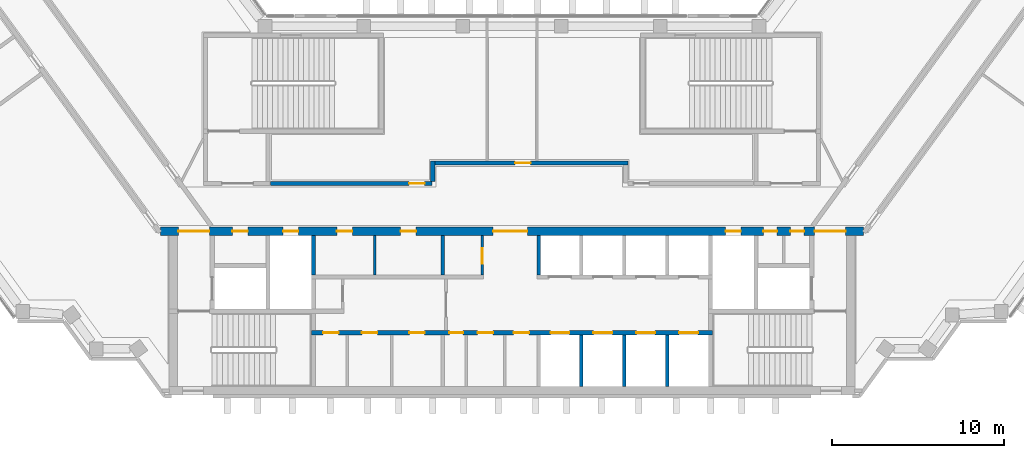
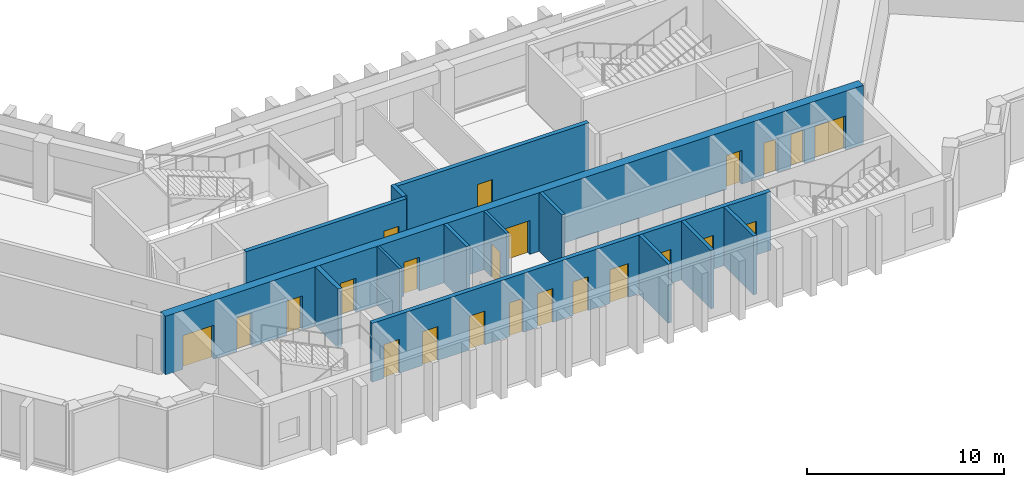
# One storey, part 6 of 11: 23 doors, 13 walls, 23 openings.
"""IFC4 building model written with IfcOpenShell, lengths in metres."""

from ifc_helpers import new_model, si_unit, direction, frame, frame_2d, origin, place, context, subcontext, project, spatial, rectangle, extrude, material, layer, layer_set, type_object, element, fill, save


model = new_model("IFC4")

# Units and contexts
model_context = context("Model", 3, precision=1e-05, world=origin(), true_north=direction((0.0, 1.0)))
body_context = subcontext(model_context, "Body", "Model", "MODEL_VIEW")
ifc_project = project(units=[si_unit("LENGTHUNIT", "METRE"), si_unit("AREAUNIT", "SQUARE_METRE"), si_unit("VOLUMEUNIT", "CUBIC_METRE"), si_unit("PLANEANGLEUNIT", "RADIAN"), si_unit("MASSUNIT", "GRAM", prefix="KILO")], contexts=[model_context])

# Site, building, storey
site_placement = place(None, origin())
site = spatial("IfcSite", under=ifc_project, at=site_placement, CompositionType="ELEMENT")
building_placement = place(site_placement, origin())
building = spatial("IfcBuilding", under=site, at=building_placement, Name="Quipu Civic Tower", CompositionType="ELEMENT")
storey_placement = place(building_placement, frame((0.0, 0.0, 144.0)))
storey = spatial("IfcBuildingStorey", under=building, at=storey_placement, Name="L33", CompositionType="ELEMENT", Elevation=144.0)

# Wall, openings, doors
ifc_material_1 = material(Name="Concrete C70/85", Category="concrete")
ifc_layer_1 = layer(ifc_material_1, 0.25)
ifc_layer_set_1 = layer_set([ifc_layer_1], Name="Concrete C70/85")
wall_type_1 = type_object("IfcWallType", Name="Core wall 250", PredefinedType="SHEAR", material=ifc_layer_set_1)
wall_1_placement = place(storey_placement, frame((11.699951171875, -7.375, 0.0), z_axis=(0.0, 0.0, 1.0), x_axis=(-1.0, 0.0, 0.0)))
wall_1 = element("IfcWall", 1, at=wall_1_placement, inside=storey, type_object=wall_type_1, Name="Core wall", PredefinedType="SHEAR", context=body_context, shape_type="SweptSolid", body=[
    extrude(rectangle(XDim=23.39990234375, YDim=0.25, at=frame_2d((11.699951171875, 0.0))), origin(), (0.0, 0.0, 1.0), 3.64990234375),
])
opening_1_placement = place(wall_1_placement, frame((21.81201171875, 0.0, 0.0)))
opening_1 = element("IfcOpeningElement", 2, at=opening_1_placement, cuts=wall_1, Name="Opening CD-01", PredefinedType="OPENING", context=body_context, shape_type="SweptSolid", body=[
    extrude(rectangle(XDim=0.89990234375, YDim=2.10009765625, at=frame_2d((0.449951171875, 1.050048828125))), frame((0.0, 0.135009765625, 0.0), z_axis=(0.0, -1.0, 0.0), x_axis=(1.0, 0.0, 0.0)), (0.0, 0.0, 1.0), 0.27001953125),
])
opening_2_placement = place(wall_1_placement, frame((19.550048828125, 0.0, 0.0)))
opening_2 = element("IfcOpeningElement", 3, at=opening_2_placement, cuts=wall_1, Name="Opening CD-02", PredefinedType="OPENING", context=body_context, shape_type="SweptSolid", body=[
    extrude(rectangle(XDim=0.89990234375, YDim=2.10009765625, at=frame_2d((0.449951171875, 1.050048828125))), frame((0.0, 0.135009765625, 0.0), z_axis=(0.0, -1.0, 0.0), x_axis=(1.0, 0.0, 0.0)), (0.0, 0.0, 1.0), 0.27001953125),
])
opening_3_placement = place(wall_1_placement, frame((16.787109375, 0.0, 0.0)))
opening_3 = element("IfcOpeningElement", 4, at=opening_3_placement, cuts=wall_1, Name="Opening CD-03", PredefinedType="OPENING", context=body_context, shape_type="SweptSolid", body=[
    extrude(rectangle(XDim=0.89990234375, YDim=2.10009765625, at=frame_2d((0.449951171875, 1.050048828125))), frame((0.0, 0.135009765625, 0.0), z_axis=(0.0, -1.0, 0.0), x_axis=(1.0, 0.0, 0.0)), (0.0, 0.0, 1.0), 0.27001953125),
])
opening_4_placement = place(wall_1_placement, frame((14.550048828125, 0.0, 0.0)))
opening_4 = element("IfcOpeningElement", 5, at=opening_4_placement, cuts=wall_1, Name="Opening CD-04", PredefinedType="OPENING", context=body_context, shape_type="SweptSolid", body=[
    extrude(rectangle(XDim=0.800048828125, YDim=2.10009765625, at=frame_2d((0.39990234375, 1.050048828125))), frame((0.0, 0.135009765625, 0.0), z_axis=(0.0, -1.0, 0.0), x_axis=(1.0, 0.0, 0.0)), (0.0, 0.0, 1.0), 0.27001953125),
])
opening_5_placement = place(wall_1_placement, frame((12.800048828125, 0.0, 0.0)))
opening_5 = element("IfcOpeningElement", 6, at=opening_5_placement, cuts=wall_1, Name="Opening CD-05", PredefinedType="OPENING", context=body_context, shape_type="SweptSolid", body=[
    extrude(rectangle(XDim=0.89990234375, YDim=2.10009765625, at=frame_2d((0.449951171875, 1.050048828125))), frame((0.0, 0.135009765625, 0.0), z_axis=(0.0, -1.0, 0.0), x_axis=(1.0, 0.0, 0.0)), (0.0, 0.0, 1.0), 0.27001953125),
])
opening_6_placement = place(wall_1_placement, frame((10.699951171875, 0.0, 0.0)))
opening_6 = element("IfcOpeningElement", 7, at=opening_6_placement, cuts=wall_1, Name="Opening CD-06", PredefinedType="OPENING", context=body_context, shape_type="SweptSolid", body=[
    extrude(rectangle(XDim=0.89990234375, YDim=2.10009765625, at=frame_2d((0.449951171875, 1.050048828125))), frame((0.0, 0.135009765625, 0.0), z_axis=(0.0, -1.0, 0.0), x_axis=(1.0, 0.0, 0.0)), (0.0, 0.0, 1.0), 0.27001953125),
])
opening_7_placement = place(wall_1_placement, frame((8.35009765625, 0.0, 0.0)))
opening_7 = element("IfcOpeningElement", 8, at=opening_7_placement, cuts=wall_1, Name="Opening LD-ML1", PredefinedType="OPENING", context=body_context, shape_type="SweptSolid", body=[
    extrude(rectangle(XDim=1.10009765625, YDim=2.10009765625, at=frame_2d((0.550048828125, 1.050048828125))), frame((0.0, 0.135009765625, 0.0), z_axis=(0.0, -1.0, 0.0), x_axis=(1.0, 0.0, 0.0)), (0.0, 0.0, 1.0), 0.27001953125),
])
opening_8_placement = place(wall_1_placement, frame((5.85009765625, 0.0, 0.0)))
opening_8 = element("IfcOpeningElement", 9, at=opening_8_placement, cuts=wall_1, Name="Opening LD-ML2", PredefinedType="OPENING", context=body_context, shape_type="SweptSolid", body=[
    extrude(rectangle(XDim=1.10009765625, YDim=2.10009765625, at=frame_2d((0.550048828125, 1.050048828125))), frame((0.0, 0.135009765625, 0.0), z_axis=(0.0, -1.0, 0.0), x_axis=(1.0, 0.0, 0.0)), (0.0, 0.0, 1.0), 0.27001953125),
])
opening_9_placement = place(wall_1_placement, frame((3.35009765625, 0.0, 0.0)))
opening_9 = element("IfcOpeningElement", 10, at=opening_9_placement, cuts=wall_1, Name="Opening LD-ML3", PredefinedType="OPENING", context=body_context, shape_type="SweptSolid", body=[
    extrude(rectangle(XDim=1.10009765625, YDim=2.10009765625, at=frame_2d((0.550048828125, 1.050048828125))), frame((0.0, 0.135009765625, 0.0), z_axis=(0.0, -1.0, 0.0), x_axis=(1.0, 0.0, 0.0)), (0.0, 0.0, 1.0), 0.27001953125),
])
opening_10_placement = place(wall_1_placement, frame((0.85009765625, 0.0, 0.0)))
opening_10 = element("IfcOpeningElement", 11, at=opening_10_placement, cuts=wall_1, Name="Opening LD-ML4", PredefinedType="OPENING", context=body_context, shape_type="SweptSolid", body=[
    extrude(rectangle(XDim=1.10009765625, YDim=2.10009765625, at=frame_2d((0.550048828125, 1.050048828125))), frame((0.0, 0.135009765625, 0.0), z_axis=(0.0, -1.0, 0.0), x_axis=(1.0, 0.0, 0.0)), (0.0, 0.0, 1.0), 0.27001953125),
])
ifc_material_2 = material(Name="Fire rated steel door", Category="steel")
door_type_1 = type_object("IfcDoorType", Name="Fire door FD60 800 x 2100", OperationType="NOTDEFINED", PredefinedType="DOOR", material=ifc_material_2)
door_1_placement = place(opening_4_placement, origin())
door_1 = element("IfcDoor", 12, at=door_1_placement, inside=storey, type_object=door_type_1, Name="Door", OperationType="SINGLE_SWING_RIGHT", OverallHeight=2.10009765625, OverallWidth=0.800048828125, PredefinedType="DOOR", context=body_context, shape_type="SweptSolid", body=[
    extrude(rectangle(XDim=0.800048828125, YDim=2.10009765625, at=frame_2d((0.39990234375, 1.050048828125))), frame((0.0, 0.02490234375, 0.0), z_axis=(0.0, -1.0, 0.0), x_axis=(1.0, 0.0, 0.0)), (0.0, 0.0, 1.0), 0.050048828125),
])
fill(opening_4, door_1)
ifc_material_3 = material(Name="Fire rated steel door", Category="steel")
door_type_2 = type_object("IfcDoorType", Name="Fire door FD60 900 x 2100", OperationType="NOTDEFINED", PredefinedType="DOOR", material=ifc_material_3)
door_2_placement = place(opening_1_placement, origin())
door_2 = element("IfcDoor", 13, at=door_2_placement, inside=storey, type_object=door_type_2, Name="Door", OperationType="SINGLE_SWING_RIGHT", OverallHeight=2.10009765625, OverallWidth=0.89990234375, PredefinedType="DOOR", context=body_context, shape_type="SweptSolid", body=[
    extrude(rectangle(XDim=0.89990234375, YDim=2.10009765625, at=frame_2d((0.449951171875, 1.050048828125))), frame((0.0, 0.02490234375, 0.0), z_axis=(0.0, -1.0, 0.0), x_axis=(1.0, 0.0, 0.0)), (0.0, 0.0, 1.0), 0.050048828125),
])
fill(opening_1, door_2)
door_3_placement = place(opening_2_placement, origin())
door_3 = element("IfcDoor", 14, at=door_3_placement, inside=storey, type_object=door_type_2, Name="Door", OperationType="SINGLE_SWING_RIGHT", OverallHeight=2.10009765625, OverallWidth=0.89990234375, PredefinedType="DOOR", context=body_context, shape_type="SweptSolid", body=[
    extrude(rectangle(XDim=0.89990234375, YDim=2.10009765625, at=frame_2d((0.449951171875, 1.050048828125))), frame((0.0, 0.02490234375, 0.0), z_axis=(0.0, -1.0, 0.0), x_axis=(1.0, 0.0, 0.0)), (0.0, 0.0, 1.0), 0.050048828125),
])
fill(opening_2, door_3)
door_4_placement = place(opening_3_placement, origin())
door_4 = element("IfcDoor", 15, at=door_4_placement, inside=storey, type_object=door_type_2, Name="Door", OperationType="SINGLE_SWING_RIGHT", OverallHeight=2.10009765625, OverallWidth=0.89990234375, PredefinedType="DOOR", context=body_context, shape_type="SweptSolid", body=[
    extrude(rectangle(XDim=0.89990234375, YDim=2.10009765625, at=frame_2d((0.449951171875, 1.050048828125))), frame((0.0, 0.02490234375, 0.0), z_axis=(0.0, -1.0, 0.0), x_axis=(1.0, 0.0, 0.0)), (0.0, 0.0, 1.0), 0.050048828125),
])
fill(opening_3, door_4)
door_5_placement = place(opening_5_placement, origin())
door_5 = element("IfcDoor", 16, at=door_5_placement, inside=storey, type_object=door_type_2, Name="WC door", OperationType="SINGLE_SWING_RIGHT", OverallHeight=2.10009765625, OverallWidth=0.89990234375, PredefinedType="DOOR", context=body_context, shape_type="SweptSolid", body=[
    extrude(rectangle(XDim=0.89990234375, YDim=2.10009765625, at=frame_2d((0.449951171875, 1.050048828125))), frame((0.0, 0.02490234375, 0.0), z_axis=(0.0, -1.0, 0.0), x_axis=(1.0, 0.0, 0.0)), (0.0, 0.0, 1.0), 0.050048828125),
])
fill(opening_5, door_5)
door_6_placement = place(opening_6_placement, origin())
door_6 = element("IfcDoor", 17, at=door_6_placement, inside=storey, type_object=door_type_2, Name="WC door", OperationType="SINGLE_SWING_LEFT", OverallHeight=2.10009765625, OverallWidth=0.89990234375, PredefinedType="DOOR", context=body_context, shape_type="SweptSolid", body=[
    extrude(rectangle(XDim=0.89990234375, YDim=2.10009765625, at=frame_2d((0.449951171875, 1.050048828125))), frame((0.0, 0.02490234375, 0.0), z_axis=(0.0, -1.0, 0.0), x_axis=(1.0, 0.0, 0.0)), (0.0, 0.0, 1.0), 0.050048828125),
])
fill(opening_6, door_6)
ifc_material_4 = material(Name="Stainless steel", Category="steel")
door_type_3 = type_object("IfcDoorType", Name="Lift landing door 1100 x 2100", OperationType="DOUBLE_DOOR_SLIDING", PredefinedType="DOOR", material=ifc_material_4)
door_7_placement = place(opening_7_placement, origin())
door_7 = element("IfcDoor", 18, at=door_7_placement, inside=storey, type_object=door_type_3, Name="Landing door ML1", OperationType="DOUBLE_DOOR_SLIDING", OverallHeight=2.10009765625, OverallWidth=1.10009765625, PredefinedType="DOOR", context=body_context, shape_type="SweptSolid", body=[
    extrude(rectangle(XDim=1.10009765625, YDim=2.10009765625, at=frame_2d((0.550048828125, 1.050048828125))), frame((0.0, 0.02490234375, 0.0), z_axis=(0.0, -1.0, 0.0), x_axis=(1.0, 0.0, 0.0)), (0.0, 0.0, 1.0), 0.050048828125),
])
fill(opening_7, door_7)
door_8_placement = place(opening_8_placement, origin())
door_8 = element("IfcDoor", 19, at=door_8_placement, inside=storey, type_object=door_type_3, Name="Landing door ML2", OperationType="DOUBLE_DOOR_SLIDING", OverallHeight=2.10009765625, OverallWidth=1.10009765625, PredefinedType="DOOR", context=body_context, shape_type="SweptSolid", body=[
    extrude(rectangle(XDim=1.10009765625, YDim=2.10009765625, at=frame_2d((0.550048828125, 1.050048828125))), frame((0.0, 0.02490234375, 0.0), z_axis=(0.0, -1.0, 0.0), x_axis=(1.0, 0.0, 0.0)), (0.0, 0.0, 1.0), 0.050048828125),
])
fill(opening_8, door_8)
door_9_placement = place(opening_9_placement, origin())
door_9 = element("IfcDoor", 20, at=door_9_placement, inside=storey, type_object=door_type_3, Name="Landing door ML3", OperationType="DOUBLE_DOOR_SLIDING", OverallHeight=2.10009765625, OverallWidth=1.10009765625, PredefinedType="DOOR", context=body_context, shape_type="SweptSolid", body=[
    extrude(rectangle(XDim=1.10009765625, YDim=2.10009765625, at=frame_2d((0.550048828125, 1.050048828125))), frame((0.0, 0.02490234375, 0.0), z_axis=(0.0, -1.0, 0.0), x_axis=(1.0, 0.0, 0.0)), (0.0, 0.0, 1.0), 0.050048828125),
])
fill(opening_9, door_9)
door_10_placement = place(opening_10_placement, origin())
door_10 = element("IfcDoor", 21, at=door_10_placement, inside=storey, type_object=door_type_3, Name="Landing door ML4", OperationType="DOUBLE_DOOR_SLIDING", OverallHeight=2.10009765625, OverallWidth=1.10009765625, PredefinedType="DOOR", context=body_context, shape_type="SweptSolid", body=[
    extrude(rectangle(XDim=1.10009765625, YDim=2.10009765625, at=frame_2d((0.550048828125, 1.050048828125))), frame((0.0, 0.02490234375, 0.0), z_axis=(0.0, -1.0, 0.0), x_axis=(1.0, 0.0, 0.0)), (0.0, 0.0, 1.0), 0.050048828125),
])
fill(opening_10, door_10)

# Wall
wall_2_placement = place(storey_placement, frame((-11.574951171875, -4.0, 0.0), z_axis=(0.0, 0.0, 1.0), x_axis=(0.0, 1.0, 0.0)))
element("IfcWall", 22, at=wall_2_placement, inside=storey, type_object=wall_type_1, Name="Core wall", PredefinedType="SHEAR", context=body_context, shape_type="SweptSolid", body=[
    extrude(rectangle(XDim=2.300048828125, YDim=0.25, at=frame_2d((1.14990234375, 0.0))), origin(), (0.0, 0.0, 1.0), 3.64990234375),
])

# Wall, openings, doors
ifc_material_5 = material(Name="Concrete C70/85", Category="concrete")
ifc_layer_2 = layer(ifc_material_5, 0.5)
ifc_layer_set_2 = layer_set([ifc_layer_2], Name="Concrete C70/85")
wall_type_2 = type_object("IfcWallType", Name="Core wall 500", PredefinedType="SHEAR", material=ifc_layer_set_2)
wall_3_placement = place(storey_placement, frame((20.489990234375, -1.449951171875, 0.0), z_axis=(0.0, 0.0, 1.0), x_axis=(-1.0, 0.0, 0.0)))
wall_3 = element("IfcWall", 23, at=wall_3_placement, inside=storey, type_object=wall_type_2, Name="Core wall", PredefinedType="SHEAR", context=body_context, shape_type="SweptSolid", body=[
    extrude(rectangle(XDim=40.97998046875, YDim=0.5, at=frame_2d((20.489990234375, 0.0))), origin(), (0.0, 0.0, 1.0), 3.64990234375),
])
opening_11_placement = place(wall_3_placement, frame((38.139892578125, 0.0, 0.0)))
opening_11 = element("IfcOpeningElement", 24, at=opening_11_placement, cuts=wall_3, Name="Opening CD-12", PredefinedType="OPENING", context=body_context, shape_type="SweptSolid", body=[
    extrude(rectangle(XDim=1.800048828125, YDim=2.10009765625, at=frame_2d((0.89990234375, 1.050048828125))), frame((0.0, 0.260009765625, 0.0), z_axis=(0.0, -1.0, 0.0), x_axis=(1.0, 0.0, 0.0)), (0.0, 0.0, 1.0), 0.52001953125),
])
opening_12_placement = place(wall_3_placement, frame((35.889892578125, 0.0, 0.0)))
opening_12 = element("IfcOpeningElement", 25, at=opening_12_placement, cuts=wall_3, Name="Opening CD-13", PredefinedType="OPENING", context=body_context, shape_type="SweptSolid", body=[
    extrude(rectangle(XDim=0.89990234375, YDim=2.10009765625, at=frame_2d((0.449951171875, 1.050048828125))), frame((0.0, 0.260009765625, 0.0), z_axis=(0.0, -1.0, 0.0), x_axis=(1.0, 0.0, 0.0)), (0.0, 0.0, 1.0), 0.52001953125),
])
opening_13_placement = place(wall_3_placement, frame((32.93994140625, 0.0, 0.0)))
opening_13 = element("IfcOpeningElement", 26, at=opening_13_placement, cuts=wall_3, Name="Opening CD-14", PredefinedType="OPENING", context=body_context, shape_type="SweptSolid", body=[
    extrude(rectangle(XDim=0.89990234375, YDim=2.10009765625, at=frame_2d((0.449951171875, 1.050048828125))), frame((0.0, 0.260009765625, 0.0), z_axis=(0.0, -1.0, 0.0), x_axis=(1.0, 0.0, 0.0)), (0.0, 0.0, 1.0), 0.52001953125),
])
opening_14_placement = place(wall_3_placement, frame((29.802490234375, 0.0, 0.0)))
opening_14 = element("IfcOpeningElement", 27, at=opening_14_placement, cuts=wall_3, Name="Opening CD-15", PredefinedType="OPENING", context=body_context, shape_type="SweptSolid", body=[
    extrude(rectangle(XDim=0.89990234375, YDim=2.10009765625, at=frame_2d((0.449951171875, 1.050048828125))), frame((0.0, 0.260009765625, 0.0), z_axis=(0.0, -1.0, 0.0), x_axis=(1.0, 0.0, 0.0)), (0.0, 0.0, 1.0), 0.52001953125),
])
opening_15_placement = place(wall_3_placement, frame((26.077392578125, 0.0, 0.0)))
opening_15 = element("IfcOpeningElement", 28, at=opening_15_placement, cuts=wall_3, Name="Opening CD-16", PredefinedType="OPENING", context=body_context, shape_type="SweptSolid", body=[
    extrude(rectangle(XDim=0.89990234375, YDim=2.10009765625, at=frame_2d((0.449951171875, 1.050048828125))), frame((0.0, 0.260009765625, 0.0), z_axis=(0.0, -1.0, 0.0), x_axis=(1.0, 0.0, 0.0)), (0.0, 0.0, 1.0), 0.52001953125),
])
opening_16_placement = place(wall_3_placement, frame((19.590087890625, 0.0, 0.0)))
opening_16 = element("IfcOpeningElement", 29, at=opening_16_placement, cuts=wall_3, Name="Opening CD-17", PredefinedType="OPENING", context=body_context, shape_type="SweptSolid", body=[
    extrude(rectangle(XDim=2.0, YDim=2.10009765625, at=frame_2d((1.0, 1.050048828125))), frame((0.0, 0.260009765625, 0.0), z_axis=(0.0, -1.0, 0.0), x_axis=(1.0, 0.0, 0.0)), (0.0, 0.0, 1.0), 0.52001953125),
])
opening_17_placement = place(wall_3_placement, frame((7.139892578125, 0.0, 0.0)))
opening_17 = element("IfcOpeningElement", 30, at=opening_17_placement, cuts=wall_3, Name="Opening CD-18", PredefinedType="OPENING", context=body_context, shape_type="SweptSolid", body=[
    extrude(rectangle(XDim=0.89990234375, YDim=2.10009765625, at=frame_2d((0.449951171875, 1.050048828125))), frame((0.0, 0.260009765625, 0.0), z_axis=(0.0, -1.0, 0.0), x_axis=(1.0, 0.0, 0.0)), (0.0, 0.0, 1.0), 0.52001953125),
])
opening_18_placement = place(wall_3_placement, frame((5.027587890625, 0.0, 0.0)))
opening_18 = element("IfcOpeningElement", 31, at=opening_18_placement, cuts=wall_3, Name="Opening CD-19", PredefinedType="OPENING", context=body_context, shape_type="SweptSolid", body=[
    extrude(rectangle(XDim=0.800048828125, YDim=2.10009765625, at=frame_2d((0.39990234375, 1.050048828125))), frame((0.0, 0.260009765625, 0.0), z_axis=(0.0, -1.0, 0.0), x_axis=(1.0, 0.0, 0.0)), (0.0, 0.0, 1.0), 0.52001953125),
])
opening_19_placement = place(wall_3_placement, frame((3.452392578125, 0.0, 0.0)))
opening_19 = element("IfcOpeningElement", 32, at=opening_19_placement, cuts=wall_3, Name="Opening CD-20", PredefinedType="OPENING", context=body_context, shape_type="SweptSolid", body=[
    extrude(rectangle(XDim=0.800048828125, YDim=2.10009765625, at=frame_2d((0.39990234375, 1.050048828125))), frame((0.0, 0.260009765625, 0.0), z_axis=(0.0, -1.0, 0.0), x_axis=(1.0, 0.0, 0.0)), (0.0, 0.0, 1.0), 0.52001953125),
])
opening_20_placement = place(wall_3_placement, frame((1.0400390625, 0.0, 0.0)))
opening_20 = element("IfcOpeningElement", 33, at=opening_20_placement, cuts=wall_3, Name="Opening CD-21", PredefinedType="OPENING", context=body_context, shape_type="SweptSolid", body=[
    extrude(rectangle(XDim=1.800048828125, YDim=2.10009765625, at=frame_2d((0.89990234375, 1.050048828125))), frame((0.0, 0.260009765625, 0.0), z_axis=(0.0, -1.0, 0.0), x_axis=(1.0, 0.0, 0.0)), (0.0, 0.0, 1.0), 0.52001953125),
])
door_11_placement = place(opening_18_placement, origin())
door_11 = element("IfcDoor", 34, at=door_11_placement, inside=storey, type_object=door_type_1, Name="Door", OperationType="SINGLE_SWING_LEFT", OverallHeight=2.10009765625, OverallWidth=0.800048828125, PredefinedType="DOOR", context=body_context, shape_type="SweptSolid", body=[
    extrude(rectangle(XDim=0.800048828125, YDim=2.10009765625, at=frame_2d((0.39990234375, 1.050048828125))), frame((0.0, 0.02490234375, 0.0), z_axis=(0.0, -1.0, 0.0), x_axis=(1.0, 0.0, 0.0)), (0.0, 0.0, 1.0), 0.050048828125),
])
fill(opening_18, door_11)
door_12_placement = place(opening_19_placement, origin())
door_12 = element("IfcDoor", 35, at=door_12_placement, inside=storey, type_object=door_type_1, Name="Door", OperationType="SINGLE_SWING_LEFT", OverallHeight=2.10009765625, OverallWidth=0.800048828125, PredefinedType="DOOR", context=body_context, shape_type="SweptSolid", body=[
    extrude(rectangle(XDim=0.800048828125, YDim=2.10009765625, at=frame_2d((0.39990234375, 1.050048828125))), frame((0.0, 0.02490234375, 0.0), z_axis=(0.0, -1.0, 0.0), x_axis=(1.0, 0.0, 0.0)), (0.0, 0.0, 1.0), 0.050048828125),
])
fill(opening_19, door_12)
door_13_placement = place(opening_12_placement, origin())
door_13 = element("IfcDoor", 36, at=door_13_placement, inside=storey, type_object=door_type_2, Name="Door", OperationType="SINGLE_SWING_RIGHT", OverallHeight=2.10009765625, OverallWidth=0.89990234375, PredefinedType="DOOR", context=body_context, shape_type="SweptSolid", body=[
    extrude(rectangle(XDim=0.89990234375, YDim=2.10009765625, at=frame_2d((0.449951171875, 1.050048828125))), frame((0.0, 0.02490234375, 0.0), z_axis=(0.0, -1.0, 0.0), x_axis=(1.0, 0.0, 0.0)), (0.0, 0.0, 1.0), 0.050048828125),
])
fill(opening_12, door_13)
door_14_placement = place(opening_13_placement, origin())
door_14 = element("IfcDoor", 37, at=door_14_placement, inside=storey, type_object=door_type_2, Name="Riser door", OperationType="SINGLE_SWING_RIGHT", OverallHeight=2.10009765625, OverallWidth=0.89990234375, PredefinedType="DOOR", context=body_context, shape_type="SweptSolid", body=[
    extrude(rectangle(XDim=0.89990234375, YDim=2.10009765625, at=frame_2d((0.449951171875, 1.050048828125))), frame((0.0, 0.02490234375, 0.0), z_axis=(0.0, -1.0, 0.0), x_axis=(1.0, 0.0, 0.0)), (0.0, 0.0, 1.0), 0.050048828125),
])
fill(opening_13, door_14)
door_15_placement = place(opening_14_placement, origin())
door_15 = element("IfcDoor", 38, at=door_15_placement, inside=storey, type_object=door_type_2, Name="Door", OperationType="SINGLE_SWING_RIGHT", OverallHeight=2.10009765625, OverallWidth=0.89990234375, PredefinedType="DOOR", context=body_context, shape_type="SweptSolid", body=[
    extrude(rectangle(XDim=0.89990234375, YDim=2.10009765625, at=frame_2d((0.449951171875, 1.050048828125))), frame((0.0, 0.02490234375, 0.0), z_axis=(0.0, -1.0, 0.0), x_axis=(1.0, 0.0, 0.0)), (0.0, 0.0, 1.0), 0.050048828125),
])
fill(opening_14, door_15)
door_16_placement = place(opening_15_placement, origin())
door_16 = element("IfcDoor", 39, at=door_16_placement, inside=storey, type_object=door_type_2, Name="Door", OperationType="SINGLE_SWING_RIGHT", OverallHeight=2.10009765625, OverallWidth=0.89990234375, PredefinedType="DOOR", context=body_context, shape_type="SweptSolid", body=[
    extrude(rectangle(XDim=0.89990234375, YDim=2.10009765625, at=frame_2d((0.449951171875, 1.050048828125))), frame((0.0, 0.02490234375, 0.0), z_axis=(0.0, -1.0, 0.0), x_axis=(1.0, 0.0, 0.0)), (0.0, 0.0, 1.0), 0.050048828125),
])
fill(opening_15, door_16)
door_17_placement = place(opening_17_placement, origin())
door_17 = element("IfcDoor", 40, at=door_17_placement, inside=storey, type_object=door_type_2, Name="Riser door", OperationType="SINGLE_SWING_LEFT", OverallHeight=2.10009765625, OverallWidth=0.89990234375, PredefinedType="DOOR", context=body_context, shape_type="SweptSolid", body=[
    extrude(rectangle(XDim=0.89990234375, YDim=2.10009765625, at=frame_2d((0.449951171875, 1.050048828125))), frame((0.0, 0.02490234375, 0.0), z_axis=(0.0, -1.0, 0.0), x_axis=(1.0, 0.0, 0.0)), (0.0, 0.0, 1.0), 0.050048828125),
])
fill(opening_17, door_17)
ifc_material_6 = material(Name="Fire rated steel door", Category="steel")
door_type_4 = type_object("IfcDoorType", Name="Fire door FD90 double 1800 x 2100", OperationType="NOTDEFINED", PredefinedType="DOOR", material=ifc_material_6)
door_18_placement = place(opening_11_placement, origin())
door_18 = element("IfcDoor", 41, at=door_18_placement, inside=storey, type_object=door_type_4, Name="Lobby door", OperationType="DOUBLE_DOOR_SINGLE_SWING", OverallHeight=2.10009765625, OverallWidth=1.800048828125, PredefinedType="DOOR", context=body_context, shape_type="SweptSolid", body=[
    extrude(rectangle(XDim=1.800048828125, YDim=2.10009765625, at=frame_2d((0.89990234375, 1.050048828125))), frame((0.0, 0.02490234375, 0.0), z_axis=(0.0, -1.0, 0.0), x_axis=(1.0, 0.0, 0.0)), (0.0, 0.0, 1.0), 0.050048828125),
])
fill(opening_11, door_18)
door_19_placement = place(opening_20_placement, origin())
door_19 = element("IfcDoor", 42, at=door_19_placement, inside=storey, type_object=door_type_4, Name="Lobby door", OperationType="DOUBLE_DOOR_SINGLE_SWING", OverallHeight=2.10009765625, OverallWidth=1.800048828125, PredefinedType="DOOR", context=body_context, shape_type="SweptSolid", body=[
    extrude(rectangle(XDim=1.800048828125, YDim=2.10009765625, at=frame_2d((0.89990234375, 1.050048828125))), frame((0.0, 0.02490234375, 0.0), z_axis=(0.0, -1.0, 0.0), x_axis=(1.0, 0.0, 0.0)), (0.0, 0.0, 1.0), 0.050048828125),
])
fill(opening_20, door_19)
ifc_material_7 = material(Name="Fire rated steel door", Category="steel")
door_type_5 = type_object("IfcDoorType", Name="Fire door FD90 double 2000 x 2100", OperationType="NOTDEFINED", PredefinedType="DOOR", material=ifc_material_7)
door_20_placement = place(opening_16_placement, origin())
door_20 = element("IfcDoor", 43, at=door_20_placement, inside=storey, type_object=door_type_5, Name="Lobby door", OperationType="DOUBLE_DOOR_SINGLE_SWING", OverallHeight=2.10009765625, OverallWidth=2.0, PredefinedType="DOOR", context=body_context, shape_type="SweptSolid", body=[
    extrude(rectangle(XDim=2.0, YDim=2.10009765625, at=frame_2d((1.0, 1.050048828125))), frame((0.0, 0.02490234375, 0.0), z_axis=(0.0, -1.0, 0.0), x_axis=(1.0, 0.0, 0.0)), (0.0, 0.0, 1.0), 0.050048828125),
])
fill(opening_16, door_20)

# Wall, opening, door
ifc_material_8 = material(Name="Concrete C50/60", Category="concrete")
ifc_layer_3 = layer(ifc_material_8, 0.25)
ifc_layer_set_3 = layer_set([ifc_layer_3], Name="Concrete C50/60")
wall_type_3 = type_object("IfcWallType", Name="Corridor wall 250 concrete", PredefinedType="SOLIDWALL", material=ifc_layer_set_3)
wall_4_placement = place(storey_placement, frame((-14.090087890625, 1.324951171875, 0.0), z_axis=(0.0, 0.0, 1.0), x_axis=(1.0, 0.0, 0.0)))
wall_4 = element("IfcWall", 44, at=wall_4_placement, inside=storey, type_object=wall_type_3, Name="Corridor wall C07", PredefinedType="SOLIDWALL", context=body_context, shape_type="SweptSolid", body=[
    extrude(rectangle(XDim=9.431396484375, YDim=0.25, at=frame_2d((4.7158203125, 0.0))), origin(), (0.0, 0.0, 1.0), 3.64990234375),
])
opening_21_placement = place(wall_4_placement, frame((8.090087890625, 0.0, 0.0)))
opening_21 = element("IfcOpeningElement", 45, at=opening_21_placement, cuts=wall_4, Name="Opening D008", PredefinedType="OPENING", context=body_context, shape_type="SweptSolid", body=[
    extrude(rectangle(XDim=0.89990234375, YDim=2.10009765625, at=frame_2d((0.449951171875, 1.050048828125))), frame((0.0, 0.135009765625, 0.0), z_axis=(0.0, -1.0, 0.0), x_axis=(1.0, 0.0, 0.0)), (0.0, 0.0, 1.0), 0.27001953125),
])
ifc_material_9 = material(Name="Fire rated timber door set with metal frame", Category="wood")
door_type_6 = type_object("IfcDoorType", Name="Single door 900 x 2100 FD60", OperationType="NOTDEFINED", PredefinedType="DOOR", material=ifc_material_9)
door_21_placement = place(opening_21_placement, origin())
door_21 = element("IfcDoor", 46, at=door_21_placement, inside=storey, type_object=door_type_6, Name="Door D008", OperationType="SINGLE_SWING_RIGHT", OverallHeight=2.10009765625, OverallWidth=0.89990234375, PredefinedType="DOOR", context=body_context, shape_type="SweptSolid", body=[
    extrude(rectangle(XDim=0.89990234375, YDim=2.10009765625, at=frame_2d((0.449951171875, 1.050048828125))), frame((0.0, 0.02490234375, 0.0), z_axis=(0.0, -1.0, 0.0), x_axis=(1.0, 0.0, 0.0)), (0.0, 0.0, 1.0), 0.050048828125),
])
fill(opening_21, door_21)

# Wall
wall_5_placement = place(storey_placement, frame((-4.625, 1.45361328125, 0.0), z_axis=(0.0, 0.0, 1.0), x_axis=(0.0, 1.0, 0.0)))
element("IfcWall", 47, at=wall_5_placement, inside=storey, type_object=wall_type_3, Name="Corridor wall C08", PredefinedType="SOLIDWALL", context=body_context, shape_type="SweptSolid", body=[
    extrude(rectangle(XDim=1.1962890625, YDim=0.25, at=frame_2d((0.59814453125, 0.0))), origin(), (0.0, 0.0, 1.0), 3.64990234375),
])

# Wall, opening, door
wall_6_placement = place(storey_placement, frame((-4.5, 2.52490234375, 0.0), z_axis=(0.0, 0.0, 1.0), x_axis=(1.0, 0.0, 0.0)))
wall_6 = element("IfcWall", 48, at=wall_6_placement, inside=storey, type_object=wall_type_3, Name="Corridor wall C09", PredefinedType="SOLIDWALL", context=body_context, shape_type="SweptSolid", body=[
    extrude(rectangle(XDim=11.25, YDim=0.25, at=frame_2d((5.625, 0.0))), origin(), (0.0, 0.0, 1.0), 3.64990234375),
])
opening_22_placement = place(wall_6_placement, frame((4.68896484375, 0.0, 0.0)))
opening_22 = element("IfcOpeningElement", 49, at=opening_22_placement, cuts=wall_6, Name="Opening D009", PredefinedType="OPENING", context=body_context, shape_type="SweptSolid", body=[
    extrude(rectangle(XDim=0.89990234375, YDim=2.10009765625, at=frame_2d((0.449951171875, 1.050048828125))), frame((0.0, 0.135009765625, 0.0), z_axis=(0.0, -1.0, 0.0), x_axis=(1.0, 0.0, 0.0)), (0.0, 0.0, 1.0), 0.27001953125),
])
door_22_placement = place(opening_22_placement, origin())
door_22 = element("IfcDoor", 50, at=door_22_placement, inside=storey, type_object=door_type_6, Name="Door D009", OperationType="SINGLE_SWING_RIGHT", OverallHeight=2.10009765625, OverallWidth=0.89990234375, PredefinedType="DOOR", context=body_context, shape_type="SweptSolid", body=[
    extrude(rectangle(XDim=0.89990234375, YDim=2.10009765625, at=frame_2d((0.449951171875, 1.050048828125))), frame((0.0, 0.02490234375, 0.0), z_axis=(0.0, -1.0, 0.0), x_axis=(1.0, 0.0, 0.0)), (0.0, 0.0, 1.0), 0.050048828125),
])
fill(opening_22, door_22)

# Wall
ifc_material_10 = material(Name="Gypsum board partition")
ifc_layer_4 = layer(ifc_material_10, 0.14990234375)
ifc_layer_set_4 = layer_set([ifc_layer_4], Name="Gypsum board partition")
wall_type_4 = type_object("IfcWallType", Name="Partition 150", PredefinedType="PARTITIONING", material=ifc_layer_set_4)
wall_7_placement = place(storey_placement, frame((-8.0, -4.0, 0.0), z_axis=(0.0, 0.0, 1.0), x_axis=(0.0, 1.0, 0.0)))
element("IfcWall", 51, at=wall_7_placement, inside=storey, type_object=wall_type_4, Name="Partition", PredefinedType="PARTITIONING", context=body_context, shape_type="SweptSolid", body=[
    extrude(rectangle(XDim=2.300048828125, YDim=0.14990234375, at=frame_2d((1.14990234375, 0.0))), origin(), (0.0, 0.0, 1.0), 3.64990234375),
])

# Wall, opening, door
wall_8_placement = place(storey_placement, frame((-1.72509765625, -1.699951171875, 0.0), z_axis=(0.0, 0.0, 1.0), x_axis=(0.0, -1.0, 0.0)))
wall_8 = element("IfcWall", 52, at=wall_8_placement, inside=storey, type_object=wall_type_4, Name="Partition", PredefinedType="PARTITIONING", context=body_context, shape_type="SweptSolid", body=[
    extrude(rectangle(XDim=2.300048828125, YDim=0.14990234375, at=frame_2d((1.14990234375, 0.0))), origin(), (0.0, 0.0, 1.0), 3.64990234375),
])
opening_23_placement = place(wall_8_placement, frame((0.75, 0.0, 0.0)))
opening_23 = element("IfcOpeningElement", 53, at=opening_23_placement, cuts=wall_8, Name="Opening CD-11", PredefinedType="OPENING", context=body_context, shape_type="SweptSolid", body=[
    extrude(rectangle(XDim=0.89990234375, YDim=2.10009765625, at=frame_2d((0.449951171875, 1.050048828125))), frame((0.0, 0.0849609375, 0.0), z_axis=(0.0, -1.0, 0.0), x_axis=(1.0, 0.0, 0.0)), (0.0, 0.0, 1.0), 0.169921875),
])
door_23_placement = place(opening_23_placement, origin())
door_23 = element("IfcDoor", 54, at=door_23_placement, inside=storey, type_object=door_type_2, Name="WC door", OperationType="SINGLE_SWING_RIGHT", OverallHeight=2.10009765625, OverallWidth=0.89990234375, PredefinedType="DOOR", context=body_context, shape_type="SweptSolid", body=[
    extrude(rectangle(XDim=0.89990234375, YDim=2.10009765625, at=frame_2d((0.449951171875, 1.050048828125))), frame((0.0, 0.02490234375, 0.0), z_axis=(0.0, -1.0, 0.0), x_axis=(1.0, 0.0, 0.0)), (0.0, 0.0, 1.0), 0.050048828125),
])
fill(opening_23, door_23)

# Walls
ifc_material_11 = material(Name="Concrete C40/50", Category="concrete")
ifc_layer_5 = layer(ifc_material_11, 0.199951171875)
ifc_layer_set_5 = layer_set([ifc_layer_5], Name="Concrete C40/50")
wall_type_5 = type_object("IfcWallType", Name="Shaft wall 200", PredefinedType="SOLIDWALL", material=ifc_layer_set_5)
for number, where, z_axis, x_axis, name in (
    (55, (4.050048828125, -10.5, 0.0), (0.0, 0.0, 1.0), (0.0, 1.0, 0.0), "Shaft wall"),
    (56, (6.550048828125, -10.5, 0.0), (0.0, 0.0, 1.0), (0.0, 1.0, 0.0), "Shaft wall"),
    (57, (9.050048828125, -10.5, 0.0), (0.0, 0.0, 1.0), (0.0, 1.0, 0.0), "Shaft wall"),
):
    element("IfcWall", number, at=place(storey_placement, frame(where, z_axis=z_axis, x_axis=x_axis)), inside=storey, type_object=wall_type_5, Name=name, PredefinedType="SOLIDWALL", context=body_context, shape_type="SweptSolid", body=[
        extrude(rectangle(XDim=3.0, YDim=0.199951171875, at=frame_2d((1.5, 0.0))), origin(), (0.0, 0.0, 1.0), 3.64990234375),
    ])
for number, where, z_axis, x_axis, name in (
    (58, (-4.050048828125, -4.0, 0.0), (0.0, 0.0, 1.0), (0.0, 1.0, 0.0), "Shaft wall"),
    (59, (1.550048828125, -4.0, 0.0), (0.0, 0.0, 1.0), (0.0, 1.0, 0.0), "Shaft wall"),
):
    element("IfcWall", number, at=place(storey_placement, frame(where, z_axis=z_axis, x_axis=x_axis)), inside=storey, type_object=wall_type_5, Name=name, PredefinedType="SOLIDWALL", context=body_context, shape_type="SweptSolid", body=[
        extrude(rectangle(XDim=2.300048828125, YDim=0.199951171875, at=frame_2d((1.14990234375, 0.0))), origin(), (0.0, 0.0, 1.0), 3.64990234375),
    ])

save(model, "model.ifc")
